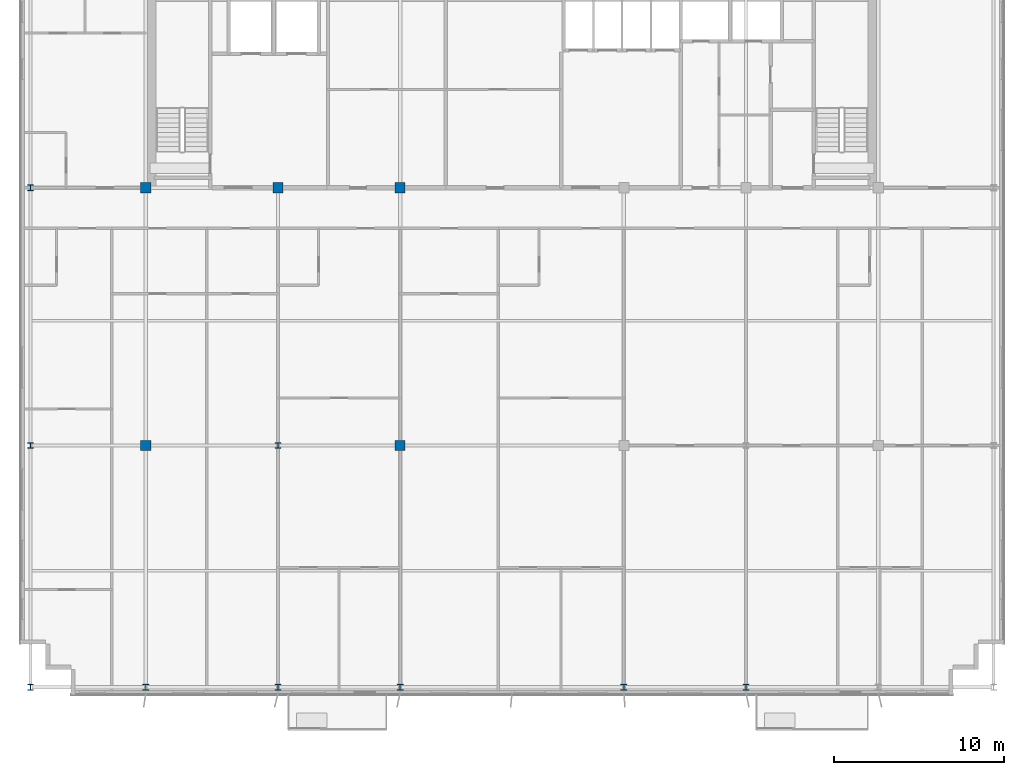
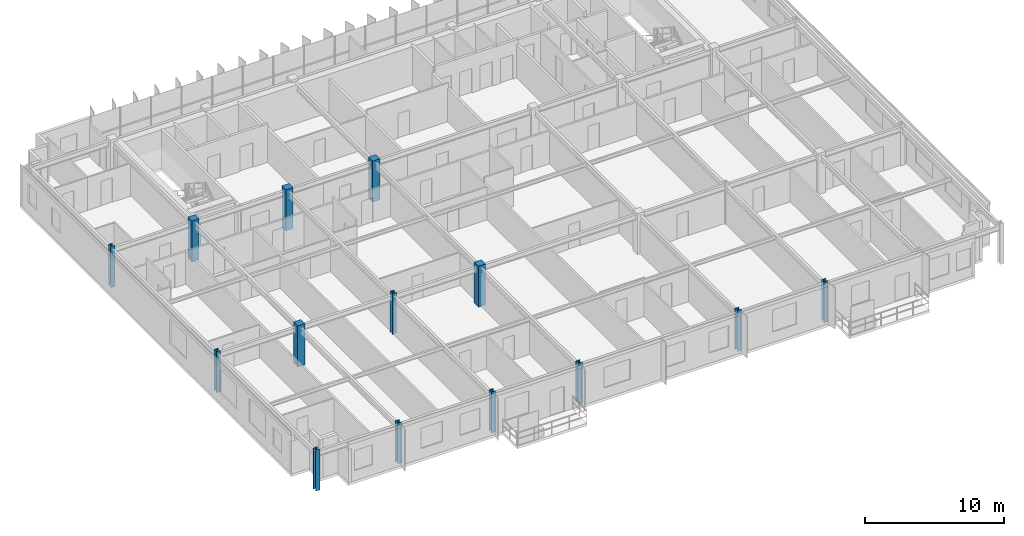
# One storey, part 1 of 23: 14 columns.
"""IFC4 building model written with IfcOpenShell, lengths in metres."""

import ifcopenshell
import ifcopenshell.guid

model = None  # the IFC model being written
_history = None  # IfcOwnerHistory: only IFC2X3 demands one
_inside = {}  # id of a spatial element -> (the spatial element, [elements in it])
_under = {}  # id of a project, library or spatial element -> (it, [spatial elements below it])
_declared = {}  # id of a project -> (the project, [libraries it declares])
_typed = {}  # id of a type object -> (the type object, [elements of that type])
_made_of = {}  # id of a material, layer set ... -> (it, [elements and type objects made of it])


def new_model(schema):
    """Start an empty IFC model of exactly this schema.

    Asked for "IFC4X3", IfcOpenShell would pick the latest addendum, in which some entities
    have other attributes; the version numbers below select the first issue.
    IFC2X3 requires an IfcOwnerHistory on every rooted entity: one is made here for all.
    """
    global model, _history
    if schema == "IFC4X3":
        model = ifcopenshell.file(schema_version=(4, 3, 0, 0))
    else:
        model = ifcopenshell.file(schema=schema)
    _inside.clear()
    _under.clear()
    _declared.clear()
    _typed.clear()
    _made_of.clear()
    _history = None
    if model.schema == "IFC2X3":
        org = make("IfcOrganization", Name="unknown")
        user = make(
            "IfcPersonAndOrganization",
            ThePerson=make("IfcPerson", FamilyName="unknown"),
            TheOrganization=org,
        )
        app = make(
            "IfcApplication",
            ApplicationDeveloper=org,
            Version="unknown",
            ApplicationFullName="unknown",
            ApplicationIdentifier="unknown",
        )
        _history = make(
            "IfcOwnerHistory",
            OwningUser=user,
            OwningApplication=app,
            ChangeAction="ADDED",
            CreationDate=0,
        )
    return model


def make(cls, **values):
    """One entity of the class cls with the attributes given. An attribute that is None is left unset."""
    return model.create_entity(
        cls, **{name: value for name, value in values.items() if value is not None}
    )


def rooted(cls, **values):
    """An entity with a GlobalId (a new one), such as an element, a storey or a relation."""
    return make(cls, GlobalId=ifcopenshell.guid.new(), OwnerHistory=_history, **values)


def si_unit(unit_type, name, prefix=None):
    """IfcSIUnit, for example si_unit("LENGTHUNIT", "METRE", prefix="MILLI")."""
    return make("IfcSIUnit", UnitType=unit_type, Prefix=prefix, Name=name)


def assignment(units):
    """IfcUnitAssignment: the units of a project."""
    return None if units is None else make("IfcUnitAssignment", Units=units)


def point(xyz):
    """IfcCartesianPoint."""
    return None if xyz is None else make("IfcCartesianPoint", Coordinates=xyz)


def direction(xyz):
    """IfcDirection."""
    return None if xyz is None else make("IfcDirection", DirectionRatios=xyz)


def frame(location, z_axis=None, x_axis=None):
    """IfcAxis2Placement3D, a coordinate frame: its origin and axes. An axis left out is left unset."""
    return make(
        "IfcAxis2Placement3D",
        Location=point(location),
        Axis=direction(z_axis),
        RefDirection=direction(x_axis),
    )


def frame_2d(location, x_axis=None):
    """IfcAxis2Placement2D, a coordinate frame in the plane: its origin and x axis."""
    return make(
        "IfcAxis2Placement2D", Location=point(location), RefDirection=direction(x_axis)
    )


def origin():
    """The frame at (0, 0, 0) with its axes left unset."""
    return frame((0.0, 0.0, 0.0))


def origin_2d():
    """The frame at (0, 0) in the plane with its x axis left unset."""
    return frame_2d((0.0, 0.0))


def place(relative_to, where):
    """IfcLocalPlacement: puts the frame where relative to a parent placement (None: the world)."""
    return make(
        "IfcLocalPlacement", PlacementRelTo=relative_to, RelativePlacement=where
    )


def context(
    kind, dimensions, precision=None, world=None, true_north=None, identifier=None
):
    """IfcGeometricRepresentationContext, for example the 3D "Model" context."""
    return make(
        "IfcGeometricRepresentationContext",
        ContextIdentifier=identifier,
        ContextType=kind,
        CoordinateSpaceDimension=dimensions,
        Precision=precision,
        WorldCoordinateSystem=world,
        TrueNorth=true_north,
    )


def subcontext(parent, identifier, kind, view, scale=None):
    """IfcGeometricRepresentationSubContext, for example "Body" below "Model"."""
    return make(
        "IfcGeometricRepresentationSubContext",
        ContextIdentifier=identifier,
        ContextType=kind,
        ParentContext=parent,
        TargetScale=scale,
        TargetView=view,
    )


def project(units=None, contexts=None):
    """IfcProject with its units and contexts."""
    return rooted(
        "IfcProject",
        Name="project",
        RepresentationContexts=contexts,
        UnitsInContext=assignment(units),
    )


def spatial(cls, under=None, at=None, **own):
    """A site, building, storey or space (cls), placed at a placement, below another one or the project."""
    s = rooted(cls, ObjectPlacement=at, **own)
    if under is not None:
        _under.setdefault(under.id(), (under, []))[1].append(s)
    return s


def profile(cls, at=None, kind="AREA", **sizes):
    """A parametric profile (cls). Its sizes go by their IFC names, for example OverallWidth=200.0."""
    return make(cls, ProfileType=kind, Position=at, **sizes)


def rectangle(**sizes):
    """IfcRectangleProfileDef."""
    return profile("IfcRectangleProfileDef", **sizes)


def i_section(**sizes):
    """IfcIShapeProfileDef."""
    return profile("IfcIShapeProfileDef", **sizes)


def extrude(swept, where, along, depth):
    """IfcExtrudedAreaSolid: the profile swept, set in the frame where, extruded along a direction by depth."""
    return make(
        "IfcExtrudedAreaSolid",
        SweptArea=swept,
        Position=where,
        ExtrudedDirection=direction(along),
        Depth=depth,
    )


def shape(context_of_items, identifier, shape_type, items):
    """IfcShapeRepresentation: the items that make up one representation, for example the "Body"."""
    return make(
        "IfcShapeRepresentation",
        ContextOfItems=context_of_items,
        RepresentationIdentifier=identifier,
        RepresentationType=shape_type,
        Items=items,
    )


def source(mapping_origin, context_of_items, identifier, shape_type, items):
    """IfcRepresentationMap: a shape defined once, which mapped items show again and again."""
    return make(
        "IfcRepresentationMap",
        MappingOrigin=mapping_origin,
        MappedRepresentation=shape(context_of_items, identifier, shape_type, items),
    )


def transform(
    local_origin,
    x_axis=None,
    y_axis=None,
    z_axis=None,
    scale=None,
    scale2=None,
    scale3=None,
    uniform=True,
):
    """IfcCartesianTransformationOperator3D, or its non-uniform kind. x_axis, y_axis, z_axis: its Axis1, 2, 3."""
    if uniform:
        return make(
            "IfcCartesianTransformationOperator3D",
            Axis1=direction(x_axis),
            Axis2=direction(y_axis),
            LocalOrigin=point(local_origin),
            Scale=scale,
            Axis3=direction(z_axis),
        )
    return make(
        "IfcCartesianTransformationOperator3DnonUniform",
        Axis1=direction(x_axis),
        Axis2=direction(y_axis),
        LocalOrigin=point(local_origin),
        Scale=scale,
        Axis3=direction(z_axis),
        Scale2=scale2,
        Scale3=scale3,
    )


def mapped(mapping_source, mapping_target):
    """IfcMappedItem: shows the shape of a source again, moved by a transform."""
    return make(
        "IfcMappedItem", MappingSource=mapping_source, MappingTarget=mapping_target
    )


def material(Name=None, Category=None):
    """IfcMaterial."""
    return make("IfcMaterial", Name=Name, Category=Category)


def material_profile(
    of_material, cross_section, Name=None, Category=None, Priority=None
):
    """IfcMaterialProfile: a cross section and its material."""
    return make(
        "IfcMaterialProfile",
        Name=Name,
        Material=of_material,
        Profile=cross_section,
        Priority=Priority,
        Category=Category,
    )


def profile_set(profiles, Name=None, composite=None):
    """IfcMaterialProfileSet."""
    return make(
        "IfcMaterialProfileSet",
        Name=Name,
        MaterialProfiles=profiles,
        CompositeProfile=composite,
    )


def made_of(thing, what):
    """Note that an element or type object is made of a material, layer set ...; save() writes the relation."""
    if what is not None:
        _made_of.setdefault(what.id(), (what, []))[1].append(thing)
    return thing


def type_object(cls, material=None, **own):
    """A type object (cls), such as IfcWallType, which elements share."""
    return made_of(rooted(cls, **own), material)


def element(
    cls,
    number,
    at=None,
    inside=None,
    cuts=None,
    type_object=None,
    material=None,
    context=None,
    identifier="Body",
    shape_type=None,
    held_by="IfcProductDefinitionShape",
    body=None,
    shapes=None,
    **own,
):
    """One element of the class cls, such as IfcWall. Its Tag is "e" and its number.

    at: its placement. inside: the storey or other place that contains it. cuts: it is an
    opening in that element (IfcRelVoidsElement). A single representation is given by context,
    identifier, shape_type and body (its items); several are given by shapes. held_by: the class
    of the entity that holds the representations. save() writes the other relations.
    """
    e = rooted(cls, Tag="e%d" % number, ObjectPlacement=at, **own)
    if body is not None:
        shapes = [shape(context, identifier, shape_type, body)]
    if shapes is not None:
        e.Representation = make(held_by, Representations=shapes)
    if inside is not None:
        _inside.setdefault(inside.id(), (inside, []))[1].append(e)
    if cuts is not None:
        rooted(
            "IfcRelVoidsElement", RelatingBuildingElement=cuts, RelatedOpeningElement=e
        )
    if type_object is not None:
        _typed.setdefault(type_object.id(), (type_object, []))[1].append(e)
    return made_of(e, material)


def aggregate(whole, parts):
    """IfcRelAggregates: a whole, such as a stair, and the parts it consists of."""
    return rooted("IfcRelAggregates", RelatingObject=whole, RelatedObjects=parts)


def save(model, path):
    """Write the relations noted so far, then the file.

    IfcRelAggregates (storeys below a building ...), IfcRelContainedInSpatialStructure (elements
    in a storey), IfcRelDefinesByType, IfcRelAssociatesMaterial and IfcRelDeclares: one each for
    every whole, place, type object, material and project.
    """
    for whole, parts in _under.values():
        aggregate(whole, parts)
    for where, things in _inside.values():
        rooted(
            "IfcRelContainedInSpatialStructure",
            RelatedElements=things,
            RelatingStructure=where,
        )
    for kind, things in _typed.values():
        rooted("IfcRelDefinesByType", RelatedObjects=things, RelatingType=kind)
    for what, things in _made_of.values():
        rooted("IfcRelAssociatesMaterial", RelatedObjects=things, RelatingMaterial=what)
    for by, libraries in _declared.values():
        rooted("IfcRelDeclares", RelatingContext=by, RelatedDefinitions=libraries)
    model.write(path)


model = new_model("IFC4")

# Units and contexts
model_context = context("Model", 3, precision=1e-05, world=origin(), true_north=direction((0.0, 1.0)))
body_context = subcontext(model_context, "Body", "Model", "MODEL_VIEW")
ifc_project = project(units=[si_unit("LENGTHUNIT", "METRE"), si_unit("AREAUNIT", "SQUARE_METRE"), si_unit("VOLUMEUNIT", "CUBIC_METRE"), si_unit("PLANEANGLEUNIT", "RADIAN"), si_unit("MASSUNIT", "GRAM", prefix="KILO")], contexts=[model_context])

# Site, building, storey
site_placement = place(None, origin())
site = spatial("IfcSite", under=ifc_project, at=site_placement, CompositionType="ELEMENT")
building_placement = place(site_placement, origin())
building = spatial("IfcBuilding", under=site, at=building_placement, Name="Trelvane Seafront Commons", CompositionType="ELEMENT")
storey_placement = place(building_placement, frame((0.0, 0.0, 266.699951171875)))
storey = spatial("IfcBuildingStorey", under=building, at=storey_placement, Name="L69", CompositionType="ELEMENT", Elevation=266.699951171875)

# Columns
ifc_material_1 = material(Name="Steel SM355 (S355)", Category="steel")
ifc_material_profile_1 = material_profile(ifc_material_1, i_section(OverallWidth=0.35009765625, OverallDepth=0.35009765625, WebThickness=0.01806640625, FlangeThickness=0.028076171875, at=origin_2d()), Name="HD-350x350x18x28")
ifc_profile_set_1 = profile_set([ifc_material_profile_1], Name="Steel SM355 (S355)")
column_type_1 = type_object("IfcColumnType", Name="STR-COL-HD350", PredefinedType="COLUMN", material=ifc_profile_set_1)
shared_shape_1 = source(origin(), body_context, "Body", "SweptSolid", [
    extrude(i_section(OverallWidth=0.35009765625, OverallDepth=0.35009765625, WebThickness=0.01806640625, FlangeThickness=0.028076171875, at=origin_2d()), origin(), (0.0, 0.0, 1.0), 3.60009765625),
])
for number, where, z_axis, x_axis, name in (
    (1, (8.800048828125, 3.949951171875, 0.0), (0.0, 0.0, 1.0), (1.0, 0.0, 0.0), "L69 Column TC-S8.8"),
    (2, (8.800048828125, 18.199951171875, 0.0), (0.0, 0.0, 1.0), (1.0, 0.0, 0.0), "L69 Column TC-M8.8"),
    (3, (8.800048828125, 33.39990234375, 0.0), (0.0, 0.0, 1.0), (1.0, 0.0, 0.0), "L69 Column TC-CS8.8"),
    (4, (15.60009765625, 3.949951171875, 0.0), (0.0, 0.0, 1.0), (1.0, 0.0, 0.0), "L69 Column TC-S15.6"),
    (5, (23.39990234375, 3.949951171875, 0.0), (0.0, 0.0, 1.0), (1.0, 0.0, 0.0), "L69 Column TC-S23.4"),
    (6, (23.39990234375, 18.199951171875, 0.0), (0.0, 0.0, 1.0), (1.0, 0.0, 0.0), "L69 Column TC-M23.4"),
    (7, (30.60009765625, 3.949951171875, 0.0), (0.0, 0.0, 1.0), (1.0, 0.0, 0.0), "L69 Column TC-S30.6"),
    (8, (43.800048828125, 3.949951171875, 0.0), (0.0, 0.0, 1.0), (1.0, 0.0, 0.0), "L69 Column TC-S43.8"),
    (9, (51.0, 3.949951171875, 0.0), (0.0, 0.0, 1.0), (1.0, 0.0, 0.0), "L69 Column TC-S51.0"),
):
    element("IfcColumn", number, at=place(storey_placement, frame(where, z_axis=z_axis, x_axis=x_axis)), inside=storey, type_object=column_type_1, Name=name, PredefinedType="COLUMN", context=body_context, shape_type="MappedRepresentation", body=[
        mapped(shared_shape_1, transform((0.0, 0.0, 0.0), x_axis=(1.0, 0.0, 0.0), y_axis=(0.0, 1.0, 0.0), z_axis=(0.0, 0.0, 1.0), scale=1.0)),
    ])
ifc_material_2 = material(Name="Concrete C50/60", Category="concrete")
ifc_material_profile_2 = material_profile(ifc_material_2, rectangle(XDim=0.60009765625, YDim=0.60009765625, at=origin_2d()), Name="RC-600x600")
ifc_profile_set_2 = profile_set([ifc_material_profile_2], Name="Concrete C50/60")
column_type_2 = type_object("IfcColumnType", Name="STR-COL-RC600", PredefinedType="COLUMN", material=ifc_profile_set_2)
shared_shape_2 = source(origin(), body_context, "Body", "SweptSolid", [
    extrude(rectangle(XDim=0.60009765625, YDim=0.60009765625, at=origin_2d()), origin(), (0.0, 0.0, 1.0), 3.60009765625),
])
for number, where, z_axis, x_axis, name in (
    (10, (15.60009765625, 18.199951171875, 0.0), (0.0, 0.0, 1.0), (1.0, 0.0, 0.0), "L69 Column TC-M15.6"),
    (11, (15.60009765625, 33.39990234375, 0.0), (0.0, 0.0, 1.0), (1.0, 0.0, 0.0), "L69 Column TC-CS15.6"),
    (12, (23.39990234375, 33.39990234375, 0.0), (0.0, 0.0, 1.0), (1.0, 0.0, 0.0), "L69 Column TC-CS23.4"),
    (13, (30.60009765625, 18.199951171875, 0.0), (0.0, 0.0, 1.0), (1.0, 0.0, 0.0), "L69 Column TC-M30.6"),
    (14, (30.60009765625, 33.39990234375, 0.0), (0.0, 0.0, 1.0), (1.0, 0.0, 0.0), "L69 Column TC-CS30.6"),
):
    element("IfcColumn", number, at=place(storey_placement, frame(where, z_axis=z_axis, x_axis=x_axis)), inside=storey, type_object=column_type_2, Name=name, PredefinedType="COLUMN", context=body_context, shape_type="MappedRepresentation", body=[
        mapped(shared_shape_2, transform((0.0, 0.0, 0.0), x_axis=(1.0, 0.0, 0.0), y_axis=(0.0, 1.0, 0.0), z_axis=(0.0, 0.0, 1.0), scale=1.0)),
    ])

save(model, "model.ifc")
